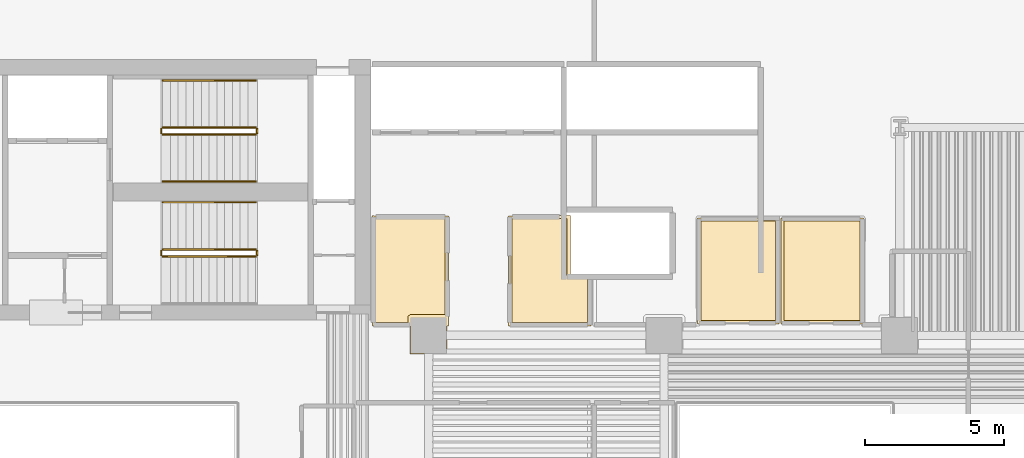
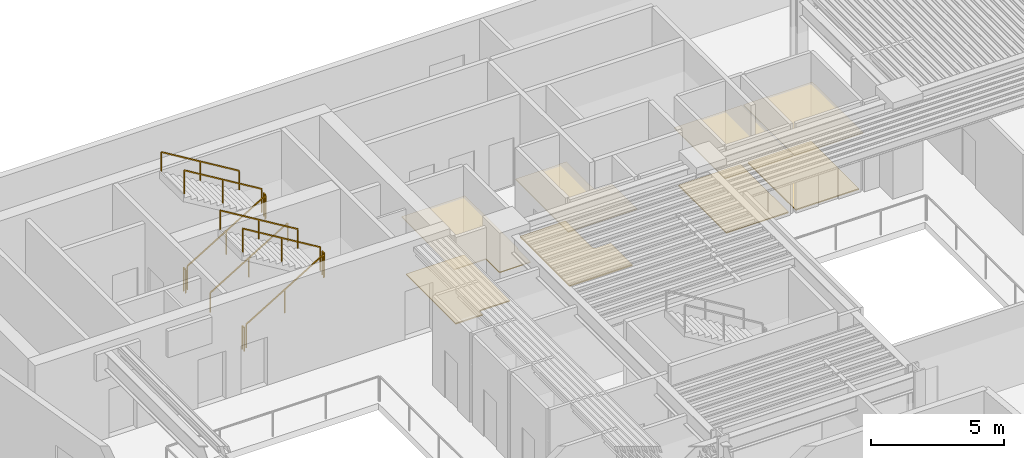
# One storey, part 11 of 12: 11 railings, 8 coverings.
"""IFC4 building model written with IfcOpenShell, lengths in metres."""

from ifc_helpers import new_model, si_unit, direction, frame, origin, origin_2d, place, context, subcontext, project, spatial, polyline, rectangle, outline, extrude, material, layer, layer_set, type_object, element, save


model = new_model("IFC4")

# Units and contexts
model_context = context("Model", 3, precision=1e-05, world=origin(), true_north=direction((0.0, 1.0)))
body_context = subcontext(model_context, "Body", "Model", "MODEL_VIEW")
ifc_project = project(units=[si_unit("LENGTHUNIT", "METRE"), si_unit("AREAUNIT", "SQUARE_METRE"), si_unit("VOLUMEUNIT", "CUBIC_METRE"), si_unit("PLANEANGLEUNIT", "RADIAN"), si_unit("MASSUNIT", "GRAM", prefix="KILO")], contexts=[model_context])

# Site, building, storey
site_placement = place(None, origin())
site = spatial("IfcSite", under=ifc_project, at=site_placement, CompositionType="ELEMENT")
building_placement = place(site_placement, origin())
building = spatial("IfcBuilding", under=site, at=building_placement, Name="Caeloran Harvest Quay", CompositionType="ELEMENT")
storey_placement = place(building_placement, frame((0.0, 0.0, 57.800048828125)))
storey = spatial("IfcBuildingStorey", under=building, at=storey_placement, Name="L13", CompositionType="ELEMENT", Elevation=57.800048828125)

# Coverings
ifc_material_1 = material(Name="Perforated Mineral-Fibre Acoustic Ceiling Tile", Category="ceiling")
ifc_layer_1 = layer(ifc_material_1, 0.0400390625, Name="Perforated Mineral-Fibre Acoustic Ceiling Tile")
ifc_layer_set_1 = layer_set([ifc_layer_1], Name="Perforated Mineral-Fibre Acoustic Ceiling Tile")
covering_type_1 = type_object("IfcCoveringType", Name="COV-CEILING-ACOUSTIC", PredefinedType="CEILING", material=ifc_layer_set_1)
covering_1_placement = place(storey_placement, frame((0.0, 0.0, 2.599853515625)))
element("IfcCovering", 1, at=covering_1_placement, inside=storey, type_object=covering_type_1, Name="L13 Core Telemetry West Room Acoustic Ceiling", PredefinedType="CEILING", context=body_context, shape_type="SweptSolid", body=[
    extrude(outline(polyline([(38.139892578125, 35.239990234375), (38.139892578125, 31.409912109375), (35.2099609375, 31.409912109375), (35.2099609375, 35.239990234375), (38.139892578125, 35.239990234375)])), origin(), (0.0, 0.0, 1.0), 0.0400390625),
])
covering_2_placement = place(storey_placement, frame((0.0, 0.0, 2.599853515625)))
element("IfcCovering", 2, at=covering_2_placement, inside=storey, type_object=covering_type_1, Name="L13 Core Metering East Room Acoustic Ceiling", PredefinedType="CEILING", context=body_context, shape_type="SweptSolid", body=[
    extrude(outline(polyline([(41.18994140625, 35.239990234375), (41.18994140625, 31.409912109375), (38.2099609375, 31.409912109375), (38.2099609375, 35.239990234375), (41.18994140625, 35.239990234375)])), origin(), (0.0, 0.0, 1.0), 0.0400390625),
])
covering_3_placement = place(storey_placement, frame((0.0, 0.0, 2.599853515625)))
element("IfcCovering", 3, at=covering_3_placement, inside=storey, type_object=covering_type_1, Name="Seedling Sensory Salon Lounge 10 Acoustic Ceiling", PredefinedType="CEILING", context=body_context, shape_type="SweptSolid", body=[
    extrude(outline(polyline([(30.212890625, 35.31005859375), (30.22021484375, 35.330078125), (30.610107421875, 35.330078125), (30.610107421875, 33.2099609375), (31.360107421875, 33.2099609375), (31.360107421875, 31.340087890625), (28.389892578125, 31.340087890625), (28.389892578125, 35.31005859375), (30.212890625, 35.31005859375)])), origin(), (0.0, 0.0, 1.0), 0.0400390625),
])
covering_4_placement = place(storey_placement, frame((0.0, 0.0, 2.599853515625)))
element("IfcCovering", 4, at=covering_4_placement, inside=storey, type_object=covering_type_1, Name="Pollination Dining Lounge 11 Acoustic Ceiling", PredefinedType="CEILING", context=body_context, shape_type="SweptSolid", body=[
    extrude(outline(polyline([(26.169921875, 30.330078125), (24.830078125, 30.330078125), (24.830078125, 31.340087890625), (23.469970703125, 31.340087890625), (23.469970703125, 35.32861328125), (23.521728515625, 35.31005859375), (26.2099609375, 35.31005859375), (26.2099609375, 31.340087890625), (26.169921875, 31.340087890625), (26.169921875, 30.330078125)])), origin(), (0.0, 0.0, 1.0), 0.0400390625),
])
ifc_material_2 = material(Name="Calcium-Sulphate Raised Access Floor and Terrazzo Finish", Category="flooring")
ifc_layer_2 = layer(ifc_material_2, 0.050048828125, Name="Calcium-Sulphate Raised Access Floor and Terrazzo Finish")
ifc_layer_set_2 = layer_set([ifc_layer_2], Name="Calcium-Sulphate Raised Access Floor and Terrazzo Finish")
covering_type_2 = type_object("IfcCoveringType", Name="COV-FLOOR-RAISED", PredefinedType="FLOORING", material=ifc_layer_set_2)
covering_5_placement = place(storey_placement, origin())
element("IfcCovering", 5, at=covering_5_placement, inside=storey, type_object=covering_type_2, Name="L13 Core Telemetry West Room Raised Finish Flooring", PredefinedType="FLOORING", context=body_context, shape_type="SweptSolid", body=[
    extrude(outline(polyline([(38.02001953125, 35.1201171875), (38.02001953125, 31.530029296875), (35.330078125, 31.530029296875), (35.330078125, 35.1201171875), (38.02001953125, 35.1201171875)])), origin(), (0.0, 0.0, 1.0), 0.050048828125),
])
covering_6_placement = place(storey_placement, origin())
element("IfcCovering", 6, at=covering_6_placement, inside=storey, type_object=covering_type_2, Name="L13 Core Metering East Room Raised Finish Flooring", PredefinedType="FLOORING", context=body_context, shape_type="SweptSolid", body=[
    extrude(outline(polyline([(41.070068359375, 35.1201171875), (41.070068359375, 31.530029296875), (38.330078125, 31.530029296875), (38.330078125, 35.1201171875), (41.070068359375, 35.1201171875)])), origin(), (0.0, 0.0, 1.0), 0.050048828125),
])
covering_7_placement = place(storey_placement, origin())
element("IfcCovering", 7, at=covering_7_placement, inside=storey, type_object=covering_type_2, Name="Seedling Sensory Salon Lounge 10 Raised Finish Flooring", PredefinedType="FLOORING", context=body_context, shape_type="SweptSolid", body=[
    extrude(outline(polyline([(28.510009765625, 35.18994140625), (30.489990234375, 35.2099609375), (30.5, 33.154296875), (30.593017578125, 33.090087890625), (31.239990234375, 33.090087890625), (31.239990234375, 31.4599609375), (28.510009765625, 31.4599609375), (28.510009765625, 35.18994140625)])), origin(), (0.0, 0.0, 1.0), 0.050048828125),
])
covering_8_placement = place(storey_placement, origin())
element("IfcCovering", 8, at=covering_8_placement, inside=storey, type_object=covering_type_2, Name="Pollination Dining Lounge 11 Raised Finish Flooring", PredefinedType="FLOORING", context=body_context, shape_type="SweptSolid", body=[
    extrude(outline(polyline([(23.590087890625, 35.18994140625), (26.090087890625, 35.18994140625), (26.090087890625, 31.7451171875), (24.8271484375, 31.74462890625), (24.75830078125, 31.688232421875), (24.7548828125, 31.4599609375), (23.590087890625, 31.4599609375), (23.590087890625, 35.18994140625)])), origin(), (0.0, 0.0, 1.0), 0.050048828125),
])

# Railings
ifc_material_3 = material(Name="Painted Steel Baluster and Top-Rail Stair Guard", Category="steel")
ifc_layer_3 = layer(ifc_material_3, 0.050048828125, Name="Painted Steel Baluster and Top-Rail Stair Guard")
ifc_layer_set_3 = layer_set([ifc_layer_3], Name="Painted Steel Baluster and Top-Rail Stair Guard")
railing_type_1 = type_object("IfcRailingType", Name="STAIR-GUARD-1100", PredefinedType="GUARDRAIL", material=ifc_layer_set_3)
railing_1_placement = place(storey_placement, frame((15.89990234375, 38.25, 0.169189453125)))
element("IfcRailing", 9, at=railing_1_placement, inside=storey, type_object=railing_type_1, Name="L13 ST-C1 stair guard 1", PredefinedType="GUARDRAIL", context=body_context, shape_type="SweptSolid", body=[
    extrude(rectangle(XDim=0.048095703125, YDim=0.048095703125, at=origin_2d()), frame((0.0, 0.0, 1.076171875), z_axis=(0.855836976705, 0.0, 0.517245656632), x_axis=(0.0, 1.0, 0.0)), (0.0, 0.0, 1.0), 3.926025390625),
    extrude(rectangle(XDim=0.0419921875, YDim=0.0419921875, at=origin_2d()), origin(), (0.0, 0.0, 1.0), 1.052001953125),
    extrude(rectangle(XDim=0.0419921875, YDim=0.0419921875, at=origin_2d()), frame((1.68017578125, 0.0, 1.015380859375)), (0.0, 0.0, 1.0), 1.052001953125),
    extrude(rectangle(XDim=0.0419921875, YDim=0.0419921875, at=origin_2d()), frame((3.360107421875, 0.0, 2.03076171875)), (0.0, 0.0, 1.0), 1.052001953125),
])
railing_2_placement = place(storey_placement, frame((19.31005859375, 38.300048828125, 2.199951171875)))
element("IfcRailing", 10, at=railing_2_placement, inside=storey, type_object=railing_type_1, Name="L13 ST-C1 stair guard 2", PredefinedType="GUARDRAIL", context=body_context, shape_type="SweptSolid", body=[
    extrude(rectangle(XDim=0.048095703125, YDim=0.048095703125, at=origin_2d()), frame((0.0, 0.0, 1.076171875), z_axis=(0.0, 1.0, 0.0), x_axis=(-1.0, 0.0, 0.0)), (0.0, 0.0, 1.0), 0.14990234375),
    extrude(rectangle(XDim=0.0419921875, YDim=0.0419921875, at=origin_2d()), origin(), (0.0, 0.0, 1.0), 1.052001953125),
    extrude(rectangle(XDim=0.0419921875, YDim=0.0419921875, at=origin_2d()), frame((0.0, 0.14990234375, 0.0)), (0.0, 0.0, 1.0), 1.052001953125),
])
railing_3_placement = place(storey_placement, frame((19.260009765625, 38.5, 2.369140625)))
element("IfcRailing", 11, at=railing_3_placement, inside=storey, type_object=railing_type_1, Name="L13 ST-C1 stair guard 3", PredefinedType="GUARDRAIL", context=body_context, shape_type="SweptSolid", body=[
    extrude(rectangle(XDim=0.048095703125, YDim=0.048095703125, at=origin_2d()), frame((0.0, 0.0, 1.076171875), z_axis=(-0.855836976705, 0.0, 0.517245656632), x_axis=(0.0, -1.0, 0.0)), (0.0, 0.0, 1.0), 3.926025390625),
    extrude(rectangle(XDim=0.0419921875, YDim=0.0419921875, at=origin_2d()), origin(), (0.0, 0.0, 1.0), 1.052001953125),
    extrude(rectangle(XDim=0.0419921875, YDim=0.0419921875, at=origin_2d()), frame((-1.68017578125, 0.0, 1.015380859375)), (0.0, 0.0, 1.0), 1.052001953125),
    extrude(rectangle(XDim=0.0419921875, YDim=0.0419921875, at=origin_2d()), frame((-3.360107421875, 0.0, 2.03076171875)), (0.0, 0.0, 1.0), 1.052001953125),
])
railing_4_placement = place(storey_placement, frame((15.85009765625, 38.300048828125, 0.0)))
element("IfcRailing", 12, at=railing_4_placement, inside=storey, type_object=railing_type_1, Name="L13 ST-C1 stair guard 4", PredefinedType="GUARDRAIL", context=body_context, shape_type="SweptSolid", body=[
    extrude(rectangle(XDim=0.048095703125, YDim=0.048095703125, at=origin_2d()), frame((0.0, 0.0, 1.076171875), z_axis=(0.0, 1.0, 0.0), x_axis=(-1.0, 0.0, 0.0)), (0.0, 0.0, 1.0), 0.14990234375),
    extrude(rectangle(XDim=0.0419921875, YDim=0.0419921875, at=origin_2d()), origin(), (0.0, 0.0, 1.0), 1.052001953125),
    extrude(rectangle(XDim=0.0419921875, YDim=0.0419921875, at=origin_2d()), frame((0.0, 0.14990234375, 0.0)), (0.0, 0.0, 1.0), 1.052001953125),
])
railing_5_placement = place(storey_placement, frame((15.89990234375, 33.85009765625, 0.169189453125)))
element("IfcRailing", 13, at=railing_5_placement, inside=storey, type_object=railing_type_1, Name="L13 ST-C2 stair guard 1", PredefinedType="GUARDRAIL", context=body_context, shape_type="SweptSolid", body=[
    extrude(rectangle(XDim=0.048095703125, YDim=0.048095703125, at=origin_2d()), frame((0.0, 0.0, 1.076171875), z_axis=(0.855836976705, 0.0, 0.517245656632), x_axis=(0.0, 1.0, 0.0)), (0.0, 0.0, 1.0), 3.926025390625),
    extrude(rectangle(XDim=0.0419921875, YDim=0.0419921875, at=origin_2d()), origin(), (0.0, 0.0, 1.0), 1.052001953125),
    extrude(rectangle(XDim=0.0419921875, YDim=0.0419921875, at=origin_2d()), frame((1.68017578125, 0.0, 1.015380859375)), (0.0, 0.0, 1.0), 1.052001953125),
    extrude(rectangle(XDim=0.0419921875, YDim=0.0419921875, at=origin_2d()), frame((3.360107421875, 0.0, 2.03076171875)), (0.0, 0.0, 1.0), 1.052001953125),
])
railing_6_placement = place(storey_placement, frame((19.31005859375, 33.89990234375, 2.199951171875)))
element("IfcRailing", 14, at=railing_6_placement, inside=storey, type_object=railing_type_1, Name="L13 ST-C2 stair guard 2", PredefinedType="GUARDRAIL", context=body_context, shape_type="SweptSolid", body=[
    extrude(rectangle(XDim=0.048095703125, YDim=0.048095703125, at=origin_2d()), frame((0.0, 0.0, 1.076171875), z_axis=(0.0, 1.0, 0.0), x_axis=(-1.0, 0.0, 0.0)), (0.0, 0.0, 1.0), 0.150146484375),
    extrude(rectangle(XDim=0.0419921875, YDim=0.0419921875, at=origin_2d()), origin(), (0.0, 0.0, 1.0), 1.052001953125),
    extrude(rectangle(XDim=0.0419921875, YDim=0.0419921875, at=origin_2d()), frame((0.0, 0.150146484375, 0.0)), (0.0, 0.0, 1.0), 1.052001953125),
])
railing_7_placement = place(storey_placement, frame((19.260009765625, 34.10009765625, 2.369140625)))
element("IfcRailing", 15, at=railing_7_placement, inside=storey, type_object=railing_type_1, Name="L13 ST-C2 stair guard 3", PredefinedType="GUARDRAIL", context=body_context, shape_type="SweptSolid", body=[
    extrude(rectangle(XDim=0.048095703125, YDim=0.048095703125, at=origin_2d()), frame((0.0, 0.0, 1.076171875), z_axis=(-0.855836976705, 0.0, 0.517245656632), x_axis=(0.0, -1.0, 0.0)), (0.0, 0.0, 1.0), 3.926025390625),
    extrude(rectangle(XDim=0.0419921875, YDim=0.0419921875, at=origin_2d()), origin(), (0.0, 0.0, 1.0), 1.052001953125),
    extrude(rectangle(XDim=0.0419921875, YDim=0.0419921875, at=origin_2d()), frame((-1.68017578125, 0.0, 1.015380859375)), (0.0, 0.0, 1.0), 1.052001953125),
    extrude(rectangle(XDim=0.0419921875, YDim=0.0419921875, at=origin_2d()), frame((-3.360107421875, 0.0, 2.03076171875)), (0.0, 0.0, 1.0), 1.052001953125),
])
railing_8_placement = place(storey_placement, frame((15.85009765625, 33.89990234375, 0.0)))
element("IfcRailing", 16, at=railing_8_placement, inside=storey, type_object=railing_type_1, Name="L13 ST-C2 stair guard 4", PredefinedType="GUARDRAIL", context=body_context, shape_type="SweptSolid", body=[
    extrude(rectangle(XDim=0.048095703125, YDim=0.048095703125, at=origin_2d()), frame((0.0, 0.0, 1.076171875), z_axis=(0.0, 1.0, 0.0), x_axis=(-1.0, 0.0, 0.0)), (0.0, 0.0, 1.0), 0.150146484375),
    extrude(rectangle(XDim=0.0419921875, YDim=0.0419921875, at=origin_2d()), origin(), (0.0, 0.0, 1.0), 1.052001953125),
    extrude(rectangle(XDim=0.0419921875, YDim=0.0419921875, at=origin_2d()), frame((0.0, 0.150146484375, 0.0)), (0.0, 0.0, 1.0), 1.052001953125),
])
ifc_material_4 = material(Name="Brushed Stainless Steel Grade 304", Category="steel")
ifc_layer_4 = layer(ifc_material_4, 0.050048828125, Name="Brushed Stainless Steel Grade 304")
ifc_layer_set_4 = layer_set([ifc_layer_4], Name="Brushed Stainless Steel Grade 304")
railing_type_2 = type_object("IfcRailingType", Name="STAIR-HANDRAIL-900", PredefinedType="HANDRAIL", material=ifc_layer_set_4)
railing_9_placement = place(storey_placement, frame((15.89990234375, 36.550048828125, 0.169189453125)))
element("IfcRailing", 17, at=railing_9_placement, inside=storey, type_object=railing_type_2, Name="L13 ST-C1 stair handrail 1", PredefinedType="HANDRAIL", context=body_context, shape_type="SweptSolid", body=[
    extrude(rectangle(XDim=0.048095703125, YDim=0.048095703125, at=origin_2d()), frame((0.0, 0.0, 0.8759765625), z_axis=(0.855836976705, 0.0, 0.517245656632), x_axis=(0.0, 1.0, 0.0)), (0.0, 0.0, 1.0), 3.926025390625),
    extrude(rectangle(XDim=0.0419921875, YDim=0.0419921875, at=origin_2d()), origin(), (0.0, 0.0, 1.0), 0.851806640625),
    extrude(rectangle(XDim=0.0419921875, YDim=0.0419921875, at=origin_2d()), frame((1.68017578125, 0.0, 1.015380859375)), (0.0, 0.0, 1.0), 0.851806640625),
    extrude(rectangle(XDim=0.0419921875, YDim=0.0419921875, at=origin_2d()), frame((3.360107421875, 0.0, 2.03076171875)), (0.0, 0.0, 1.0), 0.851806640625),
])
for number, where, name in (
    (18, (19.260009765625, 40.199951171875, 2.369140625), "L13 ST-C1 stair handrail 2"),
    (19, (19.260009765625, 35.800048828125, 2.369140625), "L13 ST-C2 stair handrail 2"),
):
    element("IfcRailing", number, at=place(storey_placement, frame(where)), inside=storey, type_object=railing_type_2, Name=name, PredefinedType="HANDRAIL", context=body_context, shape_type="SweptSolid", body=[
        extrude(rectangle(XDim=0.048095703125, YDim=0.048095703125, at=origin_2d()), frame((0.0, 0.0, 0.8759765625), z_axis=(-0.855836976705, 0.0, 0.517245656632), x_axis=(0.0, -1.0, 0.0)), (0.0, 0.0, 1.0), 3.926025390625),
        extrude(rectangle(XDim=0.0419921875, YDim=0.0419921875, at=origin_2d()), origin(), (0.0, 0.0, 1.0), 0.851806640625),
        extrude(rectangle(XDim=0.0419921875, YDim=0.0419921875, at=origin_2d()), frame((-1.68017578125, 0.0, 1.015380859375)), (0.0, 0.0, 1.0), 0.851806640625),
        extrude(rectangle(XDim=0.0419921875, YDim=0.0419921875, at=origin_2d()), frame((-3.360107421875, 0.0, 2.03076171875)), (0.0, 0.0, 1.0), 0.851806640625),
    ])

save(model, "model.ifc")
